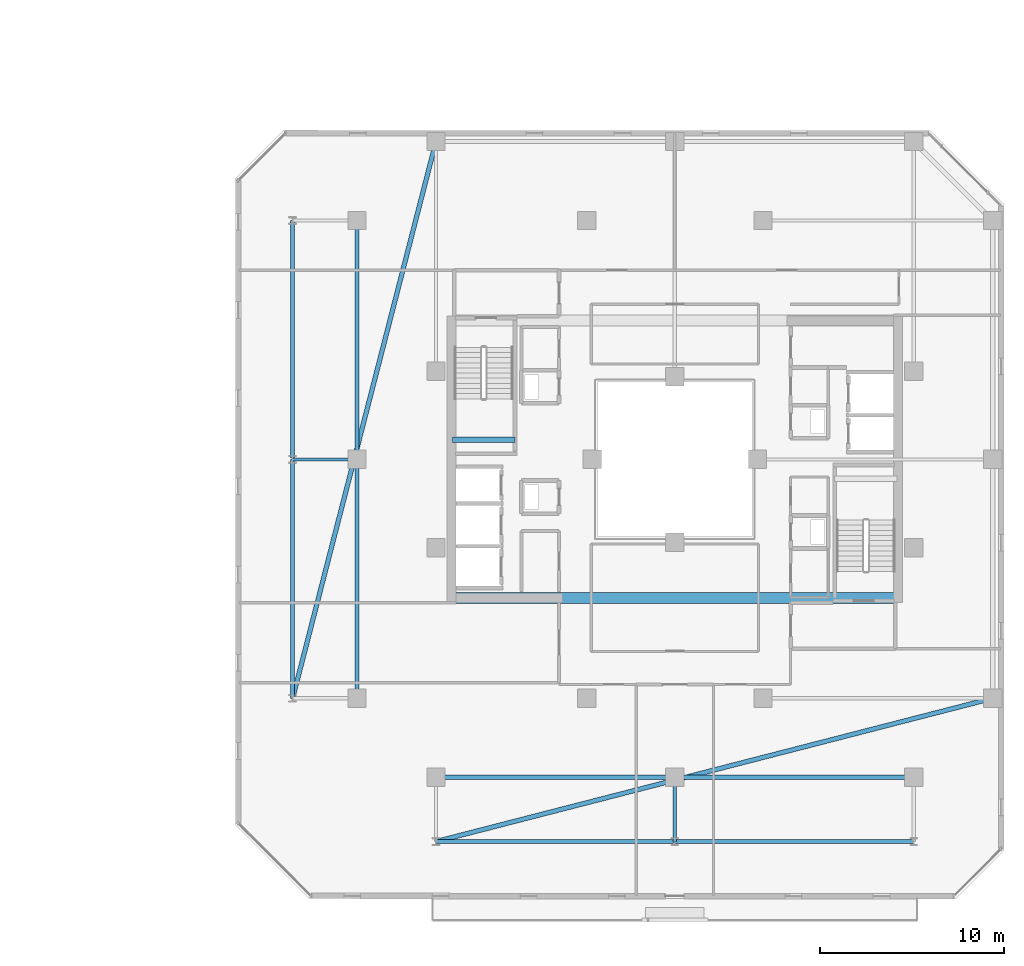
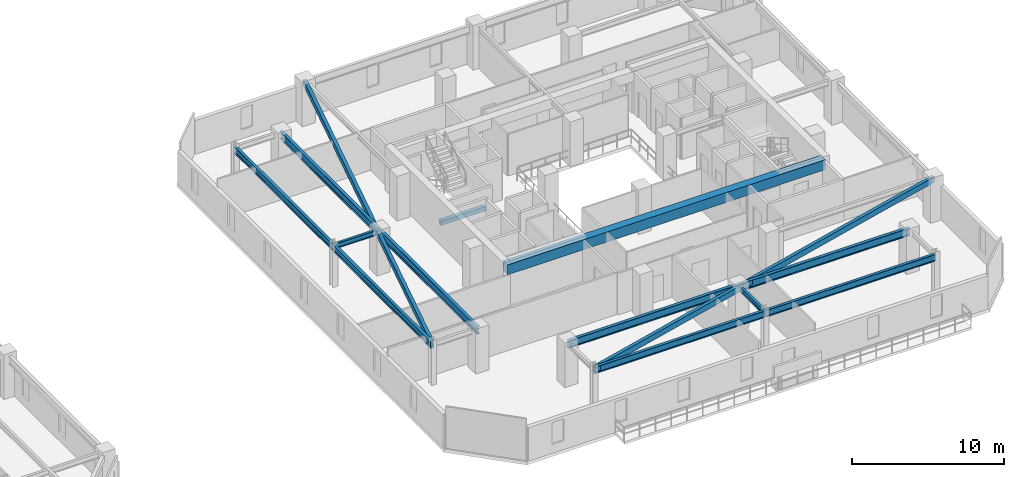
# One storey, part 12 of 33: 14 beams.
"""IFC4 building model written with IfcOpenShell, lengths in metres."""

import ifcopenshell
import ifcopenshell.guid

model = None  # the IFC model being written
_history = None  # IfcOwnerHistory: only IFC2X3 demands one
_inside = {}  # id of a spatial element -> (the spatial element, [elements in it])
_under = {}  # id of a project, library or spatial element -> (it, [spatial elements below it])
_declared = {}  # id of a project -> (the project, [libraries it declares])
_typed = {}  # id of a type object -> (the type object, [elements of that type])
_made_of = {}  # id of a material, layer set ... -> (it, [elements and type objects made of it])


def new_model(schema):
    """Start an empty IFC model of exactly this schema.

    Asked for "IFC4X3", IfcOpenShell would pick the latest addendum, in which some entities
    have other attributes; the version numbers below select the first issue.
    IFC2X3 requires an IfcOwnerHistory on every rooted entity: one is made here for all.
    """
    global model, _history
    if schema == "IFC4X3":
        model = ifcopenshell.file(schema_version=(4, 3, 0, 0))
    else:
        model = ifcopenshell.file(schema=schema)
    _inside.clear()
    _under.clear()
    _declared.clear()
    _typed.clear()
    _made_of.clear()
    _history = None
    if model.schema == "IFC2X3":
        org = make("IfcOrganization", Name="unknown")
        user = make(
            "IfcPersonAndOrganization",
            ThePerson=make("IfcPerson", FamilyName="unknown"),
            TheOrganization=org,
        )
        app = make(
            "IfcApplication",
            ApplicationDeveloper=org,
            Version="unknown",
            ApplicationFullName="unknown",
            ApplicationIdentifier="unknown",
        )
        _history = make(
            "IfcOwnerHistory",
            OwningUser=user,
            OwningApplication=app,
            ChangeAction="ADDED",
            CreationDate=0,
        )
    return model


def make(cls, **values):
    """One entity of the class cls with the attributes given. An attribute that is None is left unset."""
    return model.create_entity(
        cls, **{name: value for name, value in values.items() if value is not None}
    )


def rooted(cls, **values):
    """An entity with a GlobalId (a new one), such as an element, a storey or a relation."""
    return make(cls, GlobalId=ifcopenshell.guid.new(), OwnerHistory=_history, **values)


def si_unit(unit_type, name, prefix=None):
    """IfcSIUnit, for example si_unit("LENGTHUNIT", "METRE", prefix="MILLI")."""
    return make("IfcSIUnit", UnitType=unit_type, Prefix=prefix, Name=name)


def assignment(units):
    """IfcUnitAssignment: the units of a project."""
    return None if units is None else make("IfcUnitAssignment", Units=units)


def point(xyz):
    """IfcCartesianPoint."""
    return None if xyz is None else make("IfcCartesianPoint", Coordinates=xyz)


def direction(xyz):
    """IfcDirection."""
    return None if xyz is None else make("IfcDirection", DirectionRatios=xyz)


def frame(location, z_axis=None, x_axis=None):
    """IfcAxis2Placement3D, a coordinate frame: its origin and axes. An axis left out is left unset."""
    return make(
        "IfcAxis2Placement3D",
        Location=point(location),
        Axis=direction(z_axis),
        RefDirection=direction(x_axis),
    )


def frame_2d(location, x_axis=None):
    """IfcAxis2Placement2D, a coordinate frame in the plane: its origin and x axis."""
    return make(
        "IfcAxis2Placement2D", Location=point(location), RefDirection=direction(x_axis)
    )


def origin():
    """The frame at (0, 0, 0) with its axes left unset."""
    return frame((0.0, 0.0, 0.0))


def origin_2d():
    """The frame at (0, 0) in the plane with its x axis left unset."""
    return frame_2d((0.0, 0.0))


def place(relative_to, where):
    """IfcLocalPlacement: puts the frame where relative to a parent placement (None: the world)."""
    return make(
        "IfcLocalPlacement", PlacementRelTo=relative_to, RelativePlacement=where
    )


def context(
    kind, dimensions, precision=None, world=None, true_north=None, identifier=None
):
    """IfcGeometricRepresentationContext, for example the 3D "Model" context."""
    return make(
        "IfcGeometricRepresentationContext",
        ContextIdentifier=identifier,
        ContextType=kind,
        CoordinateSpaceDimension=dimensions,
        Precision=precision,
        WorldCoordinateSystem=world,
        TrueNorth=true_north,
    )


def subcontext(parent, identifier, kind, view, scale=None):
    """IfcGeometricRepresentationSubContext, for example "Body" below "Model"."""
    return make(
        "IfcGeometricRepresentationSubContext",
        ContextIdentifier=identifier,
        ContextType=kind,
        ParentContext=parent,
        TargetScale=scale,
        TargetView=view,
    )


def project(units=None, contexts=None):
    """IfcProject with its units and contexts."""
    return rooted(
        "IfcProject",
        Name="project",
        RepresentationContexts=contexts,
        UnitsInContext=assignment(units),
    )


def spatial(cls, under=None, at=None, **own):
    """A site, building, storey or space (cls), placed at a placement, below another one or the project."""
    s = rooted(cls, ObjectPlacement=at, **own)
    if under is not None:
        _under.setdefault(under.id(), (under, []))[1].append(s)
    return s


def profile(cls, at=None, kind="AREA", **sizes):
    """A parametric profile (cls). Its sizes go by their IFC names, for example OverallWidth=200.0."""
    return make(cls, ProfileType=kind, Position=at, **sizes)


def rectangle(**sizes):
    """IfcRectangleProfileDef."""
    return profile("IfcRectangleProfileDef", **sizes)


def hollow_rectangle(**sizes):
    """IfcRectangleHollowProfileDef."""
    return profile("IfcRectangleHollowProfileDef", **sizes)


def i_section(**sizes):
    """IfcIShapeProfileDef."""
    return profile("IfcIShapeProfileDef", **sizes)


def extrude(swept, where, along, depth):
    """IfcExtrudedAreaSolid: the profile swept, set in the frame where, extruded along a direction by depth."""
    return make(
        "IfcExtrudedAreaSolid",
        SweptArea=swept,
        Position=where,
        ExtrudedDirection=direction(along),
        Depth=depth,
    )


def shape(context_of_items, identifier, shape_type, items):
    """IfcShapeRepresentation: the items that make up one representation, for example the "Body"."""
    return make(
        "IfcShapeRepresentation",
        ContextOfItems=context_of_items,
        RepresentationIdentifier=identifier,
        RepresentationType=shape_type,
        Items=items,
    )


def material(Name=None, Category=None):
    """IfcMaterial."""
    return make("IfcMaterial", Name=Name, Category=Category)


def material_profile(
    of_material, cross_section, Name=None, Category=None, Priority=None
):
    """IfcMaterialProfile: a cross section and its material."""
    return make(
        "IfcMaterialProfile",
        Name=Name,
        Material=of_material,
        Profile=cross_section,
        Priority=Priority,
        Category=Category,
    )


def profile_set(profiles, Name=None, composite=None):
    """IfcMaterialProfileSet."""
    return make(
        "IfcMaterialProfileSet",
        Name=Name,
        MaterialProfiles=profiles,
        CompositeProfile=composite,
    )


def made_of(thing, what):
    """Note that an element or type object is made of a material, layer set ...; save() writes the relation."""
    if what is not None:
        _made_of.setdefault(what.id(), (what, []))[1].append(thing)
    return thing


def type_object(cls, material=None, **own):
    """A type object (cls), such as IfcWallType, which elements share."""
    return made_of(rooted(cls, **own), material)


def element(
    cls,
    number,
    at=None,
    inside=None,
    cuts=None,
    type_object=None,
    material=None,
    context=None,
    identifier="Body",
    shape_type=None,
    held_by="IfcProductDefinitionShape",
    body=None,
    shapes=None,
    **own,
):
    """One element of the class cls, such as IfcWall. Its Tag is "e" and its number.

    at: its placement. inside: the storey or other place that contains it. cuts: it is an
    opening in that element (IfcRelVoidsElement). A single representation is given by context,
    identifier, shape_type and body (its items); several are given by shapes. held_by: the class
    of the entity that holds the representations. save() writes the other relations.
    """
    e = rooted(cls, Tag="e%d" % number, ObjectPlacement=at, **own)
    if body is not None:
        shapes = [shape(context, identifier, shape_type, body)]
    if shapes is not None:
        e.Representation = make(held_by, Representations=shapes)
    if inside is not None:
        _inside.setdefault(inside.id(), (inside, []))[1].append(e)
    if cuts is not None:
        rooted(
            "IfcRelVoidsElement", RelatingBuildingElement=cuts, RelatedOpeningElement=e
        )
    if type_object is not None:
        _typed.setdefault(type_object.id(), (type_object, []))[1].append(e)
    return made_of(e, material)


def aggregate(whole, parts):
    """IfcRelAggregates: a whole, such as a stair, and the parts it consists of."""
    return rooted("IfcRelAggregates", RelatingObject=whole, RelatedObjects=parts)


def save(model, path):
    """Write the relations noted so far, then the file.

    IfcRelAggregates (storeys below a building ...), IfcRelContainedInSpatialStructure (elements
    in a storey), IfcRelDefinesByType, IfcRelAssociatesMaterial and IfcRelDeclares: one each for
    every whole, place, type object, material and project.
    """
    for whole, parts in _under.values():
        aggregate(whole, parts)
    for where, things in _inside.values():
        rooted(
            "IfcRelContainedInSpatialStructure",
            RelatedElements=things,
            RelatingStructure=where,
        )
    for kind, things in _typed.values():
        rooted("IfcRelDefinesByType", RelatedObjects=things, RelatingType=kind)
    for what, things in _made_of.values():
        rooted("IfcRelAssociatesMaterial", RelatedObjects=things, RelatingMaterial=what)
    for by, libraries in _declared.values():
        rooted("IfcRelDeclares", RelatingContext=by, RelatedDefinitions=libraries)
    model.write(path)


model = new_model("IFC4")

# Units and contexts
model_context = context("Model", 3, precision=1e-05, world=origin(), true_north=direction((0.0, 1.0)))
body_context = subcontext(model_context, "Body", "Model", "MODEL_VIEW")
ifc_project = project(units=[si_unit("LENGTHUNIT", "METRE"), si_unit("AREAUNIT", "SQUARE_METRE"), si_unit("VOLUMEUNIT", "CUBIC_METRE"), si_unit("PLANEANGLEUNIT", "RADIAN"), si_unit("MASSUNIT", "GRAM", prefix="KILO")], contexts=[model_context])

# Site, building, storey
site_placement = place(None, origin())
site = spatial("IfcSite", under=ifc_project, at=site_placement, CompositionType="ELEMENT")
building_placement = place(site_placement, origin())
building = spatial("IfcBuilding", under=site, at=building_placement, Name="Thornwick Lancets Civic Towers", CompositionType="ELEMENT")
storey_placement = place(building_placement, frame((0.0, 0.0, 203.699951171875)))
storey = spatial("IfcBuildingStorey", under=building, at=storey_placement, Name="L54", CompositionType="ELEMENT", Elevation=203.699951171875)

# Beams
ifc_material_1 = material(Name="Concrete C60/75", Category="concrete")
ifc_material_profile_1 = material_profile(ifc_material_1, rectangle(XDim=0.60009765625, YDim=0.800048828125, at=origin_2d()), Name="RC 600x800")
ifc_profile_set_1 = profile_set([ifc_material_profile_1], Name="Concrete C60/75")
beam_type_1 = type_object("IfcBeamType", Name="BM_COUP_RC800", PredefinedType="BEAM", material=ifc_profile_set_1)
beam_1_placement = place(storey_placement, frame((76.39990234375, 19.449951171875, 2.9599609375), z_axis=(1.0, 0.0, 0.0), x_axis=(0.0, 1.0, 0.0)))
element("IfcBeam", 1, at=beam_1_placement, inside=storey, type_object=beam_type_1, Name="CB-L54-B2", PredefinedType="BEAM", context=body_context, shape_type="SweptSolid", body=[
    extrude(rectangle(XDim=0.60009765625, YDim=0.800048828125, at=origin_2d()), origin(), (0.0, 0.0, 1.0), 24.2001953125),
])
ifc_material_2 = material(Name="Steel S355JR", Category="steel")
ifc_material_profile_2 = material_profile(ifc_material_2, i_section(OverallWidth=0.210693359375, OverallDepth=0.53955078125, WebThickness=0.01171875, FlangeThickness=0.018798828125, FilletRadius=0.0126953125, at=origin_2d()), Name="UKB 533x210x109")
ifc_profile_set_2 = profile_set([ifc_material_profile_2], Name="Steel S355JR")
beam_type_2 = type_object("IfcBeamType", Name="BM_EDGE_533_109", PredefinedType="SPANDREL", material=ifc_profile_set_2)
beam_2_placement = place(storey_placement, frame((67.699951171875, 14.0, 3.09033203125), z_axis=(0.0, 1.0, 0.0), x_axis=(-1.0, 0.0, 0.0)))
element("IfcBeam", 2, at=beam_2_placement, inside=storey, type_object=beam_type_2, Name="BM-EDGE-L54-B-S2-1", PredefinedType="SPANDREL", context=body_context, shape_type="SweptSolid", body=[
    extrude(i_section(OverallWidth=0.210693359375, OverallDepth=0.53955078125, WebThickness=0.01171875, FlangeThickness=0.018798828125, FilletRadius=0.0126953125, at=origin_2d()), origin(), (0.0, 0.0, 1.0), 13.0),
])
beam_3_placement = place(storey_placement, frame((67.699951171875, 27.080078125, 3.09033203125), z_axis=(0.0, 1.0, 0.0), x_axis=(-1.0, 0.0, 0.0)))
element("IfcBeam", 3, at=beam_3_placement, inside=storey, type_object=beam_type_2, Name="BM-EDGE-L54-B-S2-2", PredefinedType="SPANDREL", context=body_context, shape_type="SweptSolid", body=[
    extrude(i_section(OverallWidth=0.210693359375, OverallDepth=0.53955078125, WebThickness=0.01171875, FlangeThickness=0.018798828125, FilletRadius=0.0126953125, at=origin_2d()), origin(), (0.0, 0.0, 1.0), 12.919921875),
])
beam_4_placement = place(storey_placement, frame((101.5, 6.199951171875, 3.09033203125), z_axis=(-1.0, 0.0, 0.0), x_axis=(0.0, -1.0, 0.0)))
element("IfcBeam", 4, at=beam_4_placement, inside=storey, type_object=beam_type_2, Name="BM-EDGE-L54-B-S3-1", PredefinedType="SPANDREL", context=body_context, shape_type="SweptSolid", body=[
    extrude(i_section(OverallWidth=0.210693359375, OverallDepth=0.53955078125, WebThickness=0.01171875, FlangeThickness=0.018798828125, FilletRadius=0.0126953125, at=origin_2d()), origin(), (0.0, 0.0, 1.0), 13.0),
])
beam_5_placement = place(storey_placement, frame((88.419921875, 6.199951171875, 3.09033203125), z_axis=(-1.0, 0.0, 0.0), x_axis=(0.0, -1.0, 0.0)))
element("IfcBeam", 5, at=beam_5_placement, inside=storey, type_object=beam_type_2, Name="BM-EDGE-L54-B-S3-2", PredefinedType="SPANDREL", context=body_context, shape_type="SweptSolid", body=[
    extrude(i_section(OverallWidth=0.210693359375, OverallDepth=0.53955078125, WebThickness=0.01171875, FlangeThickness=0.018798828125, FilletRadius=0.0126953125, at=origin_2d()), origin(), (0.0, 0.0, 1.0), 12.919921875),
])
ifc_material_profile_3 = material_profile(ifc_material_2, i_section(OverallWidth=0.230224609375, OverallDepth=0.6171875, WebThickness=0.01318359375, FlangeThickness=0.022216796875, FilletRadius=0.0126953125, at=origin_2d()), Name="UKB 610x229x140")
ifc_profile_set_3 = profile_set([ifc_material_profile_3], Name="Steel S355JR")
beam_type_3 = type_object("IfcBeamType", Name="BM_GIRD_610_140", PredefinedType="BEAM", material=ifc_profile_set_3)
beam_6_placement = place(storey_placement, frame((71.199951171875, 14.0, 3.051513671875), z_axis=(0.0, 1.0, 0.0), x_axis=(-1.0, 0.0, 0.0)))
element("IfcBeam", 6, at=beam_6_placement, inside=storey, type_object=beam_type_3, Name="BM-SPINE-L54-B-6-7", PredefinedType="BEAM", context=body_context, shape_type="SweptSolid", body=[
    extrude(i_section(OverallWidth=0.230224609375, OverallDepth=0.6171875, WebThickness=0.01318359375, FlangeThickness=0.022216796875, FilletRadius=0.0126953125, at=origin_2d()), origin(), (0.0, 0.0, 1.0), 13.0),
])
beam_7_placement = place(storey_placement, frame((71.199951171875, 27.080078125, 3.051513671875), z_axis=(0.0, 1.0, 0.0), x_axis=(-1.0, 0.0, 0.0)))
element("IfcBeam", 7, at=beam_7_placement, inside=storey, type_object=beam_type_3, Name="BM-SPINE-L54-B-7-8", PredefinedType="BEAM", context=body_context, shape_type="SweptSolid", body=[
    extrude(i_section(OverallWidth=0.230224609375, OverallDepth=0.6171875, WebThickness=0.01318359375, FlangeThickness=0.022216796875, FilletRadius=0.0126953125, at=origin_2d()), origin(), (0.0, 0.0, 1.0), 12.919921875),
])
beam_8_placement = place(storey_placement, frame((101.5, 9.699951171875, 3.051513671875), z_axis=(-1.0, 0.0, 0.0), x_axis=(0.0, -1.0, 0.0)))
element("IfcBeam", 8, at=beam_8_placement, inside=storey, type_object=beam_type_3, Name="BM-SPINE-L54-B-9-10", PredefinedType="BEAM", context=body_context, shape_type="SweptSolid", body=[
    extrude(i_section(OverallWidth=0.230224609375, OverallDepth=0.6171875, WebThickness=0.01318359375, FlangeThickness=0.022216796875, FilletRadius=0.0126953125, at=origin_2d()), origin(), (0.0, 0.0, 1.0), 13.0),
])
beam_9_placement = place(storey_placement, frame((88.419921875, 9.699951171875, 3.051513671875), z_axis=(-1.0, 0.0, 0.0), x_axis=(0.0, -1.0, 0.0)))
element("IfcBeam", 9, at=beam_9_placement, inside=storey, type_object=beam_type_3, Name="BM-SPINE-L54-B-10-11", PredefinedType="BEAM", context=body_context, shape_type="SweptSolid", body=[
    extrude(i_section(OverallWidth=0.230224609375, OverallDepth=0.6171875, WebThickness=0.01318359375, FlangeThickness=0.022216796875, FilletRadius=0.0126953125, at=origin_2d()), origin(), (0.0, 0.0, 1.0), 12.919921875),
])
ifc_material_profile_4 = material_profile(ifc_material_2, i_section(OverallWidth=0.179443359375, OverallDepth=0.412841796875, WebThickness=0.009521484375, FlangeThickness=0.01611328125, FilletRadius=0.01025390625, at=origin_2d()), Name="UKB 406x178x74")
ifc_profile_set_4 = profile_set([ifc_material_profile_4], Name="Steel S355JR")
beam_type_4 = type_object("IfcBeamType", Name="BM_JOIST_406_74", PredefinedType="JOIST", material=ifc_profile_set_4)
for number, where, z_axis, x_axis, name in (
    (10, (71.199951171875, 27.0, 3.153564453125), (-1.0, 0.0, 0.0), (0.0, -1.0, 0.0), "BM-RAD-L54-B08"),
    (11, (88.5, 9.699951171875, 3.153564453125), (0.0, -1.0, 0.0), (1.0, 0.0, 0.0), "BM-RAD-L54-B11"),
):
    element("IfcBeam", number, at=place(storey_placement, frame(where, z_axis=z_axis, x_axis=x_axis)), inside=storey, type_object=beam_type_4, Name=name, PredefinedType="JOIST", context=body_context, shape_type="SweptSolid", body=[
        extrude(i_section(OverallWidth=0.179443359375, OverallDepth=0.412841796875, WebThickness=0.009521484375, FlangeThickness=0.01611328125, FilletRadius=0.01025390625, at=origin_2d()), origin(), (0.0, 0.0, 1.0), 3.5),
    ])
ifc_material_profile_5 = material_profile(ifc_material_2, hollow_rectangle(XDim=0.25, YDim=0.449951171875, WallThickness=0.01611328125, at=origin_2d()), Name="RHS 450x250x16")
ifc_profile_set_5 = profile_set([ifc_material_profile_5], Name="Steel S355JR")
beam_type_5 = type_object("IfcBeamType", Name="BM_RING_RHS450", PredefinedType="BEAM", material=ifc_profile_set_5)
for number, where, z_axis, x_axis, name in (
    (12, (75.5, 44.300048828125, 3.135009765625), (-0.249299080716, -0.96842654257, 0.0), (0.96842654257, -0.249299080716, 0.0), "BM-CHAMF-L54-B-C1"),
    (13, (75.5, 6.199951171875, 3.135009765625), (0.96842654257, 0.249299080716, 0.0), (-0.249299080716, 0.96842654257, 0.0), "BM-CHAMF-L54-B-C3"),
):
    element("IfcBeam", number, at=place(storey_placement, frame(where, z_axis=z_axis, x_axis=x_axis)), inside=storey, type_object=beam_type_5, Name=name, PredefinedType="BEAM", context=body_context, shape_type="SweptSolid", body=[
        extrude(hollow_rectangle(XDim=0.25, YDim=0.449951171875, WallThickness=0.01611328125, at=origin_2d()), origin(), (0.0, 0.0, 1.0), 31.287841796875),
    ])
ifc_material_3 = material(Name="Concrete C40/50", Category="concrete")
ifc_material_profile_6 = material_profile(ifc_material_3, rectangle(XDim=0.300048828125, YDim=0.35009765625, at=origin_2d()), Name="RC 300x350")
ifc_profile_set_6 = profile_set([ifc_material_profile_6], Name="Concrete C40/50")
beam_type_6 = type_object("IfcBeamType", Name="BM_STAIR_LDG", PredefinedType="BEAM", material=ifc_profile_set_6)
beam_10_placement = place(storey_placement, frame((76.39990234375, 28.06494140625, 1.3779296875), z_axis=(1.0, 0.0, 0.0), x_axis=(0.0, 1.0, 0.0)))
element("IfcBeam", 14, at=beam_10_placement, inside=storey, type_object=beam_type_6, Name="L54 ST-B2 Landing Support Beam 1", PredefinedType="BEAM", context=body_context, shape_type="SweptSolid", body=[
    extrude(rectangle(XDim=0.300048828125, YDim=0.35009765625, at=origin_2d()), origin(), (0.0, 0.0, 1.0), 3.400146484375),
])

save(model, "model.ifc")
